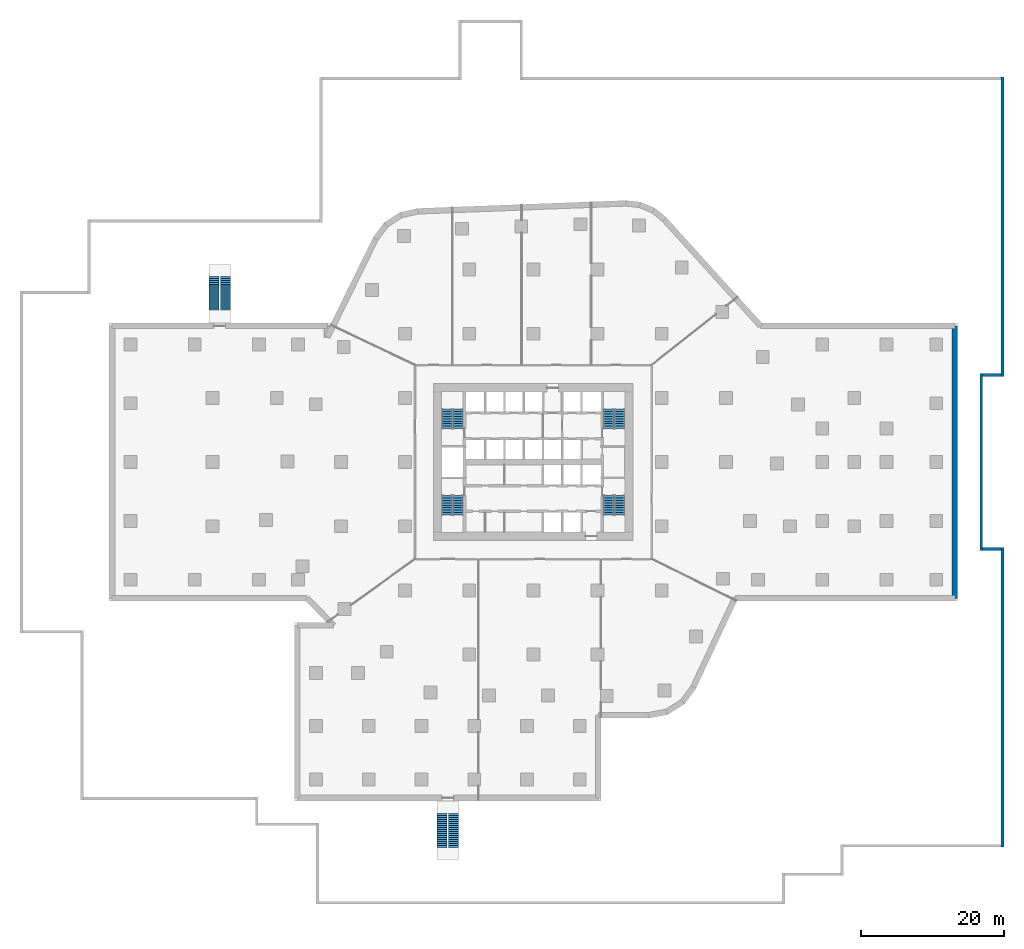
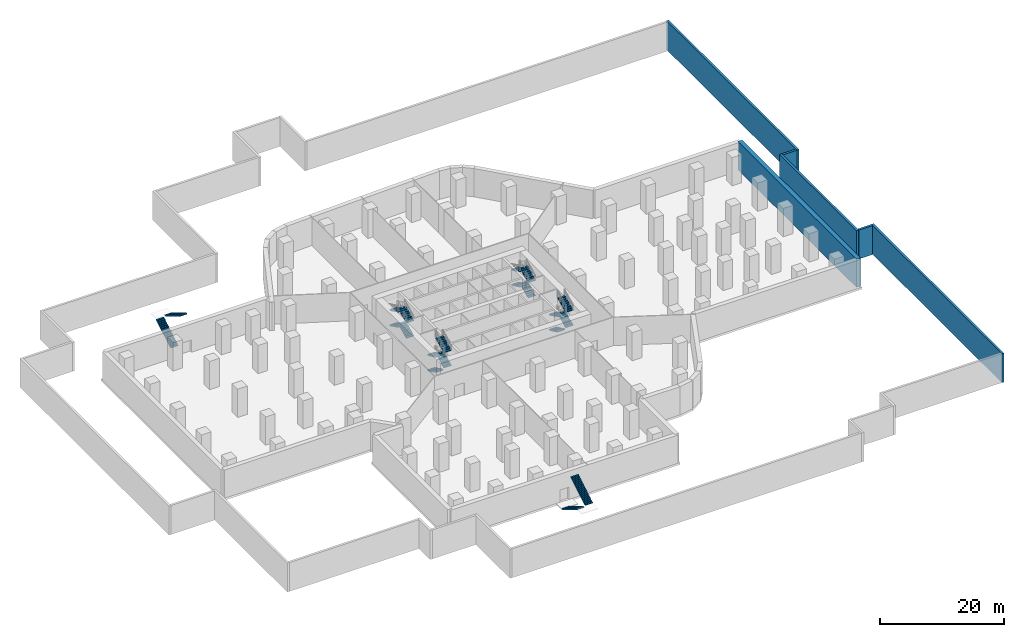
# One storey, part 9 of 11: 20 stair flights, 6 walls, 6 elements without a shape of their own.
"""IFC4 building model written with IfcOpenShell, lengths in metres."""

from ifc_helpers import new_model, si_unit, direction, frame, frame_2d, origin, place, context, subcontext, project, spatial, polyline, rectangle, outline, extrude, material, layer, layer_set, type_object, element, aggregate, save


model = new_model("IFC4")

# Units and contexts
model_context = context("Model", 3, precision=1e-05, world=origin(), true_north=direction((0.0, 1.0)))
body_context = subcontext(model_context, "Body", "Model", "MODEL_VIEW")
ifc_project = project(units=[si_unit("LENGTHUNIT", "METRE"), si_unit("AREAUNIT", "SQUARE_METRE"), si_unit("VOLUMEUNIT", "CUBIC_METRE"), si_unit("PLANEANGLEUNIT", "RADIAN"), si_unit("MASSUNIT", "GRAM", prefix="KILO")], contexts=[model_context])

# Site, building, storey
site_placement = place(None, origin())
site = spatial("IfcSite", under=ifc_project, at=site_placement, CompositionType="ELEMENT")
building_placement = place(site_placement, origin())
building = spatial("IfcBuilding", under=site, at=building_placement, Name="Dongbaek Canopy Tower", CompositionType="ELEMENT")
storey_placement = place(building_placement, frame((0.0, 0.0, -6.0)))
storey = spatial("IfcBuildingStorey", under=building, at=storey_placement, Name="B1", CompositionType="ELEMENT", Elevation=-6.0)

# Walls
ifc_material_1 = material(Name="Concrete C40/50", Category="concrete")
ifc_layer_1 = layer(ifc_material_1, 0.39990234375)
ifc_layer_set_1 = layer_set([ifc_layer_1], Name="Plaza plinth wall 400")
wall_type_1 = type_object("IfcWallType", Name="Plaza plinth wall 400", PredefinedType="SOLIDWALL", material=ifc_layer_set_1)
wall_1_placement = place(storey_placement, frame((65.800048828125, -54.0, 0.0), z_axis=(0.0, 0.0, 1.0), x_axis=(0.0, 1.0, 0.0)))
element("IfcWall", 1, at=wall_1_placement, inside=storey, type_object=wall_type_1, Name="Plaza plinth wall 7", PredefinedType="SOLIDWALL", context=body_context, shape_type="SweptSolid", body=[
    extrude(rectangle(XDim=42.0, YDim=0.39990234375, at=frame_2d((21.0, 0.0))), origin(), (0.0, 0.0, 1.0), 5.699951171875),
])
wall_2_placement = place(storey_placement, frame((63.0, -12.199951171875, 0.0), z_axis=(0.0, 0.0, 1.0), x_axis=(1.0, 0.0, 0.0)))
element("IfcWall", 2, at=wall_2_placement, inside=storey, type_object=wall_type_1, Name="Plaza plinth wall 14", PredefinedType="SOLIDWALL", context=body_context, shape_type="SweptSolid", body=[
    extrude(rectangle(XDim=2.60009765625, YDim=0.39990234375, at=frame_2d((1.300048828125, 0.0))), origin(), (0.0, 0.0, 1.0), 5.699951171875),
])
wall_3_placement = place(storey_placement, frame((62.800048828125, -12.39990234375, 0.0), z_axis=(0.0, 0.0, 1.0), x_axis=(0.0, 1.0, 0.0)))
element("IfcWall", 3, at=wall_3_placement, inside=storey, type_object=wall_type_1, Name="Plaza plinth wall 15", PredefinedType="SOLIDWALL", context=body_context, shape_type="SweptSolid", body=[
    extrude(rectangle(XDim=24.7998046875, YDim=0.39990234375, at=frame_2d((12.39990234375, 0.0))), origin(), (0.0, 0.0, 1.0), 5.699951171875),
])
wall_4_placement = place(storey_placement, frame((63.0, 12.199951171875, 0.0), z_axis=(0.0, 0.0, 1.0), x_axis=(1.0, 0.0, 0.0)))
element("IfcWall", 4, at=wall_4_placement, inside=storey, type_object=wall_type_1, Name="Plaza plinth wall 16", PredefinedType="SOLIDWALL", context=body_context, shape_type="SweptSolid", body=[
    extrude(rectangle(XDim=2.60009765625, YDim=0.39990234375, at=frame_2d((1.300048828125, 0.0))), origin(), (0.0, 0.0, 1.0), 5.699951171875),
])
wall_5_placement = place(storey_placement, frame((65.800048828125, 12.0, 0.0), z_axis=(0.0, 0.0, 1.0), x_axis=(0.0, 1.0, 0.0)))
element("IfcWall", 5, at=wall_5_placement, inside=storey, type_object=wall_type_1, Name="Plaza plinth wall 17", PredefinedType="SOLIDWALL", context=body_context, shape_type="SweptSolid", body=[
    extrude(rectangle(XDim=42.0, YDim=0.39990234375, at=frame_2d((21.0, 0.0))), origin(), (0.0, 0.0, 1.0), 5.699951171875),
])
ifc_material_2 = material(Name="Concrete C40", Category="concrete")
ifc_layer_2 = layer(ifc_material_2, 0.800048828125)
ifc_layer_set_2 = layer_set([ifc_layer_2], Name="RC RETAINING WALL 800 Concrete C40")
wall_type_2 = type_object("IfcWallType", Name="RC RETAINING WALL 800 Concrete C40", PredefinedType="SHEAR", material=ifc_layer_set_2)
wall_6_placement = place(storey_placement, frame((59.10009765625, 19.10009765625, 0.0), z_axis=(0.0, 0.0, 1.0), x_axis=(0.0, -1.0, 0.0)))
element("IfcWall", 6, at=wall_6_placement, inside=storey, type_object=wall_type_2, Name="RWALL:B1:17", PredefinedType="SHEAR", context=body_context, shape_type="SweptSolid", body=[
    extrude(rectangle(XDim=38.2001953125, YDim=0.800048828125, at=frame_2d((19.10009765625, 0.0))), origin(), (0.0, 0.0, 1.0), 5.550048828125),
])

# Stair, stair flights
ifc_material_3 = material(Name="Concrete C40/50", Category="concrete")
stair_type_1 = type_object("IfcStairType", Name="Core exit stair", PredefinedType="HALF_TURN_STAIR", material=ifc_material_3)
stair_1_placement = place(storey_placement, origin())
stair_1 = element("IfcStair", 7, at=stair_1_placement, inside=storey, type_object=stair_type_1, Name="B1 exit stair A", PredefinedType="HALF_TURN_STAIR")
ifc_material_4 = material(Name="Concrete C40/50", Category="concrete")
ifc_layer_3 = layer(ifc_material_4, 0.14990234375)
ifc_layer_set_3 = layer_set([ifc_layer_3], Name="Core stair flight 150 waist")
stair_flight_type_1 = type_object("IfcStairFlightType", Name="Core stair flight 150 waist", PredefinedType="STRAIGHT", material=ifc_layer_set_3)
stair_flight_1_placement = place(storey_placement, frame((12.10009765625, 4.699951171875, 0.0), z_axis=(0.0, 0.0, 1.0), x_axis=(0.0, 1.0, 0.0)))
stair_flight_1 = element("IfcStairFlight", 8, at=stair_flight_1_placement, type_object=stair_flight_type_1, Name="ST-A flight 1", NumberOfRisers=9, NumberOfTreads=8, PredefinedType="STRAIGHT", RiserHeight=0.166666667, TreadLength=0.34, context=body_context, shape_type="SweptSolid", body=[
    extrude(outline(polyline([(0.0, 0.0), (0.0, 0.166748046875), (0.340087890625, 0.166748046875), (0.340087890625, 0.333251953125), (0.679931640625, 0.333251953125), (0.679931640625, 0.5), (1.02001953125, 0.5), (1.02001953125, 0.666748046875), (1.360107421875, 0.666748046875), (1.360107421875, 0.833251953125), (1.699951171875, 0.833251953125), (1.699951171875, 1.0), (2.0400390625, 1.0), (2.0400390625, 1.166748046875), (2.3798828125, 1.166748046875), (2.3798828125, 1.333251953125), (2.719970703125, 1.333251953125), (2.719970703125, 1.5), (2.719970703125, 1.16650390625), (0.340576171875, 0.0), (0.0, 0.0)])), frame((0.0, 0.699951171875, 0.0), z_axis=(0.0, -1.0, 0.0), x_axis=(1.0, 0.0, 0.0)), (0.0, 0.0, 1.0), 1.39990234375),
])
stair_flight_2_placement = place(storey_placement, frame((10.550048828125, 7.419921875, 1.5), z_axis=(0.0, 0.0, 1.0), x_axis=(0.0, -1.0, 0.0)))
stair_flight_2 = element("IfcStairFlight", 9, at=stair_flight_2_placement, type_object=stair_flight_type_1, Name="ST-A flight 2", NumberOfRisers=9, NumberOfTreads=8, PredefinedType="STRAIGHT", RiserHeight=0.166666667, TreadLength=0.34, context=body_context, shape_type="SweptSolid", body=[
    extrude(outline(polyline([(0.0, 0.0), (0.0, 0.166748046875), (0.340087890625, 0.166748046875), (0.340087890625, 0.333251953125), (0.679931640625, 0.333251953125), (0.679931640625, 0.5), (1.02001953125, 0.5), (1.02001953125, 0.666748046875), (1.360107421875, 0.666748046875), (1.360107421875, 0.833251953125), (1.699951171875, 0.833251953125), (1.699951171875, 1.0), (2.0400390625, 1.0), (2.0400390625, 1.166748046875), (2.3798828125, 1.166748046875), (2.3798828125, 1.333251953125), (2.719970703125, 1.333251953125), (2.719970703125, 1.5), (2.719970703125, 1.16650390625), (0.340576171875, 0.0), (0.0, 0.0)])), frame((0.0, 0.699951171875, 0.0), z_axis=(0.0, -1.0, 0.0), x_axis=(1.0, 0.0, 0.0)), (0.0, 0.0, 1.0), 1.39990234375),
])
stair_flight_3_placement = place(storey_placement, frame((12.10009765625, 4.699951171875, 3.0), z_axis=(0.0, 0.0, 1.0), x_axis=(0.0, 1.0, 0.0)))
stair_flight_3 = element("IfcStairFlight", 10, at=stair_flight_3_placement, type_object=stair_flight_type_1, Name="ST-A flight 3", NumberOfRisers=9, NumberOfTreads=8, PredefinedType="STRAIGHT", RiserHeight=0.166666667, TreadLength=0.34, context=body_context, shape_type="SweptSolid", body=[
    extrude(outline(polyline([(0.0, 0.0), (0.0, 0.166748046875), (0.340087890625, 0.166748046875), (0.340087890625, 0.333251953125), (0.679931640625, 0.333251953125), (0.679931640625, 0.5), (1.02001953125, 0.5), (1.02001953125, 0.666748046875), (1.360107421875, 0.666748046875), (1.360107421875, 0.833251953125), (1.699951171875, 0.833251953125), (1.699951171875, 1.0), (2.0400390625, 1.0), (2.0400390625, 1.166748046875), (2.3798828125, 1.166748046875), (2.3798828125, 1.333251953125), (2.719970703125, 1.333251953125), (2.719970703125, 1.5), (2.719970703125, 1.16650390625), (0.340576171875, 0.0), (0.0, 0.0)])), frame((0.0, 0.699951171875, 0.0), z_axis=(0.0, -1.0, 0.0), x_axis=(1.0, 0.0, 0.0)), (0.0, 0.0, 1.0), 1.39990234375),
])
stair_flight_4_placement = place(storey_placement, frame((10.550048828125, 7.419921875, 4.5), z_axis=(0.0, 0.0, 1.0), x_axis=(0.0, -1.0, 0.0)))
stair_flight_4 = element("IfcStairFlight", 11, at=stair_flight_4_placement, type_object=stair_flight_type_1, Name="ST-A flight 4", NumberOfRisers=9, NumberOfTreads=8, PredefinedType="STRAIGHT", RiserHeight=0.166666667, TreadLength=0.34, context=body_context, shape_type="SweptSolid", body=[
    extrude(outline(polyline([(0.0, 0.0), (0.0, 0.166748046875), (0.340087890625, 0.166748046875), (0.340087890625, 0.333251953125), (0.679931640625, 0.333251953125), (0.679931640625, 0.5), (1.02001953125, 0.5), (1.02001953125, 0.666748046875), (1.360107421875, 0.666748046875), (1.360107421875, 0.833251953125), (1.699951171875, 0.833251953125), (1.699951171875, 1.0), (2.0400390625, 1.0), (2.0400390625, 1.166748046875), (2.3798828125, 1.166748046875), (2.3798828125, 1.333251953125), (2.719970703125, 1.333251953125), (2.719970703125, 1.5), (2.719970703125, 1.16650390625), (0.340576171875, 0.0), (0.0, 0.0)])), frame((0.0, 0.699951171875, 0.0), z_axis=(0.0, -1.0, 0.0), x_axis=(1.0, 0.0, 0.0)), (0.0, 0.0, 1.0), 1.39990234375),
])
aggregate(stair_1, [stair_flight_1, stair_flight_2, stair_flight_3, stair_flight_4])

stair_2_placement = place(storey_placement, origin())
stair_2 = element("IfcStair", 12, at=stair_2_placement, inside=storey, type_object=stair_type_1, Name="B1 exit stair C", PredefinedType="HALF_TURN_STAIR")
stair_flight_5_placement = place(storey_placement, frame((-10.550048828125, 4.699951171875, 0.0), z_axis=(0.0, 0.0, 1.0), x_axis=(0.0, 1.0, 0.0)))
stair_flight_5 = element("IfcStairFlight", 13, at=stair_flight_5_placement, type_object=stair_flight_type_1, Name="ST-C flight 1", NumberOfRisers=9, NumberOfTreads=8, PredefinedType="STRAIGHT", RiserHeight=0.166666667, TreadLength=0.34, context=body_context, shape_type="SweptSolid", body=[
    extrude(outline(polyline([(0.0, 0.0), (0.0, 0.166748046875), (0.340087890625, 0.166748046875), (0.340087890625, 0.333251953125), (0.679931640625, 0.333251953125), (0.679931640625, 0.5), (1.02001953125, 0.5), (1.02001953125, 0.666748046875), (1.360107421875, 0.666748046875), (1.360107421875, 0.833251953125), (1.699951171875, 0.833251953125), (1.699951171875, 1.0), (2.0400390625, 1.0), (2.0400390625, 1.166748046875), (2.3798828125, 1.166748046875), (2.3798828125, 1.333251953125), (2.719970703125, 1.333251953125), (2.719970703125, 1.5), (2.719970703125, 1.16650390625), (0.340576171875, 0.0), (0.0, 0.0)])), frame((0.0, 0.699951171875, 0.0), z_axis=(0.0, -1.0, 0.0), x_axis=(1.0, 0.0, 0.0)), (0.0, 0.0, 1.0), 1.39990234375),
])
stair_flight_6_placement = place(storey_placement, frame((-12.10009765625, 7.419921875, 1.5), z_axis=(0.0, 0.0, 1.0), x_axis=(0.0, -1.0, 0.0)))
stair_flight_6 = element("IfcStairFlight", 14, at=stair_flight_6_placement, type_object=stair_flight_type_1, Name="ST-C flight 2", NumberOfRisers=9, NumberOfTreads=8, PredefinedType="STRAIGHT", RiserHeight=0.166666667, TreadLength=0.34, context=body_context, shape_type="SweptSolid", body=[
    extrude(outline(polyline([(0.0, 0.0), (0.0, 0.166748046875), (0.340087890625, 0.166748046875), (0.340087890625, 0.333251953125), (0.679931640625, 0.333251953125), (0.679931640625, 0.5), (1.02001953125, 0.5), (1.02001953125, 0.666748046875), (1.360107421875, 0.666748046875), (1.360107421875, 0.833251953125), (1.699951171875, 0.833251953125), (1.699951171875, 1.0), (2.0400390625, 1.0), (2.0400390625, 1.166748046875), (2.3798828125, 1.166748046875), (2.3798828125, 1.333251953125), (2.719970703125, 1.333251953125), (2.719970703125, 1.5), (2.719970703125, 1.16650390625), (0.340576171875, 0.0), (0.0, 0.0)])), frame((0.0, 0.699951171875, 0.0), z_axis=(0.0, -1.0, 0.0), x_axis=(1.0, 0.0, 0.0)), (0.0, 0.0, 1.0), 1.39990234375),
])
stair_flight_7_placement = place(storey_placement, frame((-10.550048828125, 4.699951171875, 3.0), z_axis=(0.0, 0.0, 1.0), x_axis=(0.0, 1.0, 0.0)))
stair_flight_7 = element("IfcStairFlight", 15, at=stair_flight_7_placement, type_object=stair_flight_type_1, Name="ST-C flight 3", NumberOfRisers=9, NumberOfTreads=8, PredefinedType="STRAIGHT", RiserHeight=0.166666667, TreadLength=0.34, context=body_context, shape_type="SweptSolid", body=[
    extrude(outline(polyline([(0.0, 0.0), (0.0, 0.166748046875), (0.340087890625, 0.166748046875), (0.340087890625, 0.333251953125), (0.679931640625, 0.333251953125), (0.679931640625, 0.5), (1.02001953125, 0.5), (1.02001953125, 0.666748046875), (1.360107421875, 0.666748046875), (1.360107421875, 0.833251953125), (1.699951171875, 0.833251953125), (1.699951171875, 1.0), (2.0400390625, 1.0), (2.0400390625, 1.166748046875), (2.3798828125, 1.166748046875), (2.3798828125, 1.333251953125), (2.719970703125, 1.333251953125), (2.719970703125, 1.5), (2.719970703125, 1.16650390625), (0.340576171875, 0.0), (0.0, 0.0)])), frame((0.0, 0.699951171875, 0.0), z_axis=(0.0, -1.0, 0.0), x_axis=(1.0, 0.0, 0.0)), (0.0, 0.0, 1.0), 1.39990234375),
])
stair_flight_8_placement = place(storey_placement, frame((-12.10009765625, 7.419921875, 4.5), z_axis=(0.0, 0.0, 1.0), x_axis=(0.0, -1.0, 0.0)))
stair_flight_8 = element("IfcStairFlight", 16, at=stair_flight_8_placement, type_object=stair_flight_type_1, Name="ST-C flight 4", NumberOfRisers=9, NumberOfTreads=8, PredefinedType="STRAIGHT", RiserHeight=0.166666667, TreadLength=0.34, context=body_context, shape_type="SweptSolid", body=[
    extrude(outline(polyline([(0.0, 0.0), (0.0, 0.166748046875), (0.340087890625, 0.166748046875), (0.340087890625, 0.333251953125), (0.679931640625, 0.333251953125), (0.679931640625, 0.5), (1.02001953125, 0.5), (1.02001953125, 0.666748046875), (1.360107421875, 0.666748046875), (1.360107421875, 0.833251953125), (1.699951171875, 0.833251953125), (1.699951171875, 1.0), (2.0400390625, 1.0), (2.0400390625, 1.166748046875), (2.3798828125, 1.166748046875), (2.3798828125, 1.333251953125), (2.719970703125, 1.333251953125), (2.719970703125, 1.5), (2.719970703125, 1.16650390625), (0.340576171875, 0.0), (0.0, 0.0)])), frame((0.0, 0.699951171875, 0.0), z_axis=(0.0, -1.0, 0.0), x_axis=(1.0, 0.0, 0.0)), (0.0, 0.0, 1.0), 1.39990234375),
])
aggregate(stair_2, [stair_flight_5, stair_flight_6, stair_flight_7, stair_flight_8])

stair_3_placement = place(storey_placement, origin())
stair_3 = element("IfcStair", 17, at=stair_3_placement, inside=storey, type_object=stair_type_1, Name="B1 exit stair B", PredefinedType="HALF_TURN_STAIR")
stair_flight_9_placement = place(storey_placement, frame((10.550048828125, -4.699951171875, 0.0), z_axis=(0.0, 0.0, 1.0), x_axis=(0.0, -1.0, 0.0)))
stair_flight_9 = element("IfcStairFlight", 18, at=stair_flight_9_placement, type_object=stair_flight_type_1, Name="ST-B flight 1", NumberOfRisers=9, NumberOfTreads=8, PredefinedType="STRAIGHT", RiserHeight=0.166666667, TreadLength=0.34, context=body_context, shape_type="SweptSolid", body=[
    extrude(outline(polyline([(0.0, 0.0), (0.0, 0.166748046875), (0.340087890625, 0.166748046875), (0.340087890625, 0.333251953125), (0.679931640625, 0.333251953125), (0.679931640625, 0.5), (1.02001953125, 0.5), (1.02001953125, 0.666748046875), (1.360107421875, 0.666748046875), (1.360107421875, 0.833251953125), (1.699951171875, 0.833251953125), (1.699951171875, 1.0), (2.0400390625, 1.0), (2.0400390625, 1.166748046875), (2.3798828125, 1.166748046875), (2.3798828125, 1.333251953125), (2.719970703125, 1.333251953125), (2.719970703125, 1.5), (2.719970703125, 1.16650390625), (0.340576171875, 0.0), (0.0, 0.0)])), frame((0.0, 0.699951171875, 0.0), z_axis=(0.0, -1.0, 0.0), x_axis=(1.0, 0.0, 0.0)), (0.0, 0.0, 1.0), 1.39990234375),
])
stair_flight_10_placement = place(storey_placement, frame((12.10009765625, -7.419921875, 1.5), z_axis=(0.0, 0.0, 1.0), x_axis=(0.0, 1.0, 0.0)))
stair_flight_10 = element("IfcStairFlight", 19, at=stair_flight_10_placement, type_object=stair_flight_type_1, Name="ST-B flight 2", NumberOfRisers=9, NumberOfTreads=8, PredefinedType="STRAIGHT", RiserHeight=0.166666667, TreadLength=0.34, context=body_context, shape_type="SweptSolid", body=[
    extrude(outline(polyline([(0.0, 0.0), (0.0, 0.166748046875), (0.340087890625, 0.166748046875), (0.340087890625, 0.333251953125), (0.679931640625, 0.333251953125), (0.679931640625, 0.5), (1.02001953125, 0.5), (1.02001953125, 0.666748046875), (1.360107421875, 0.666748046875), (1.360107421875, 0.833251953125), (1.699951171875, 0.833251953125), (1.699951171875, 1.0), (2.0400390625, 1.0), (2.0400390625, 1.166748046875), (2.3798828125, 1.166748046875), (2.3798828125, 1.333251953125), (2.719970703125, 1.333251953125), (2.719970703125, 1.5), (2.719970703125, 1.16650390625), (0.340576171875, 0.0), (0.0, 0.0)])), frame((0.0, 0.699951171875, 0.0), z_axis=(0.0, -1.0, 0.0), x_axis=(1.0, 0.0, 0.0)), (0.0, 0.0, 1.0), 1.39990234375),
])
stair_flight_11_placement = place(storey_placement, frame((10.550048828125, -4.699951171875, 3.0), z_axis=(0.0, 0.0, 1.0), x_axis=(0.0, -1.0, 0.0)))
stair_flight_11 = element("IfcStairFlight", 20, at=stair_flight_11_placement, type_object=stair_flight_type_1, Name="ST-B flight 3", NumberOfRisers=9, NumberOfTreads=8, PredefinedType="STRAIGHT", RiserHeight=0.166666667, TreadLength=0.34, context=body_context, shape_type="SweptSolid", body=[
    extrude(outline(polyline([(0.0, 0.0), (0.0, 0.166748046875), (0.340087890625, 0.166748046875), (0.340087890625, 0.333251953125), (0.679931640625, 0.333251953125), (0.679931640625, 0.5), (1.02001953125, 0.5), (1.02001953125, 0.666748046875), (1.360107421875, 0.666748046875), (1.360107421875, 0.833251953125), (1.699951171875, 0.833251953125), (1.699951171875, 1.0), (2.0400390625, 1.0), (2.0400390625, 1.166748046875), (2.3798828125, 1.166748046875), (2.3798828125, 1.333251953125), (2.719970703125, 1.333251953125), (2.719970703125, 1.5), (2.719970703125, 1.16650390625), (0.340576171875, 0.0), (0.0, 0.0)])), frame((0.0, 0.699951171875, 0.0), z_axis=(0.0, -1.0, 0.0), x_axis=(1.0, 0.0, 0.0)), (0.0, 0.0, 1.0), 1.39990234375),
])
stair_flight_12_placement = place(storey_placement, frame((12.10009765625, -7.419921875, 4.5), z_axis=(0.0, 0.0, 1.0), x_axis=(0.0, 1.0, 0.0)))
stair_flight_12 = element("IfcStairFlight", 21, at=stair_flight_12_placement, type_object=stair_flight_type_1, Name="ST-B flight 4", NumberOfRisers=9, NumberOfTreads=8, PredefinedType="STRAIGHT", RiserHeight=0.166666667, TreadLength=0.34, context=body_context, shape_type="SweptSolid", body=[
    extrude(outline(polyline([(0.0, 0.0), (0.0, 0.166748046875), (0.340087890625, 0.166748046875), (0.340087890625, 0.333251953125), (0.679931640625, 0.333251953125), (0.679931640625, 0.5), (1.02001953125, 0.5), (1.02001953125, 0.666748046875), (1.360107421875, 0.666748046875), (1.360107421875, 0.833251953125), (1.699951171875, 0.833251953125), (1.699951171875, 1.0), (2.0400390625, 1.0), (2.0400390625, 1.166748046875), (2.3798828125, 1.166748046875), (2.3798828125, 1.333251953125), (2.719970703125, 1.333251953125), (2.719970703125, 1.5), (2.719970703125, 1.16650390625), (0.340576171875, 0.0), (0.0, 0.0)])), frame((0.0, 0.699951171875, 0.0), z_axis=(0.0, -1.0, 0.0), x_axis=(1.0, 0.0, 0.0)), (0.0, 0.0, 1.0), 1.39990234375),
])
aggregate(stair_3, [stair_flight_9, stair_flight_10, stair_flight_11, stair_flight_12])

stair_4_placement = place(storey_placement, origin())
stair_4 = element("IfcStair", 22, at=stair_4_placement, inside=storey, type_object=stair_type_1, Name="B1 exit stair D", PredefinedType="HALF_TURN_STAIR")
stair_flight_13_placement = place(storey_placement, frame((-12.10009765625, -4.699951171875, 0.0), z_axis=(0.0, 0.0, 1.0), x_axis=(0.0, -1.0, 0.0)))
stair_flight_13 = element("IfcStairFlight", 23, at=stair_flight_13_placement, type_object=stair_flight_type_1, Name="ST-D flight 1", NumberOfRisers=9, NumberOfTreads=8, PredefinedType="STRAIGHT", RiserHeight=0.166666667, TreadLength=0.34, context=body_context, shape_type="SweptSolid", body=[
    extrude(outline(polyline([(0.0, 0.0), (0.0, 0.166748046875), (0.340087890625, 0.166748046875), (0.340087890625, 0.333251953125), (0.679931640625, 0.333251953125), (0.679931640625, 0.5), (1.02001953125, 0.5), (1.02001953125, 0.666748046875), (1.360107421875, 0.666748046875), (1.360107421875, 0.833251953125), (1.699951171875, 0.833251953125), (1.699951171875, 1.0), (2.0400390625, 1.0), (2.0400390625, 1.166748046875), (2.3798828125, 1.166748046875), (2.3798828125, 1.333251953125), (2.719970703125, 1.333251953125), (2.719970703125, 1.5), (2.719970703125, 1.16650390625), (0.340576171875, 0.0), (0.0, 0.0)])), frame((0.0, 0.699951171875, 0.0), z_axis=(0.0, -1.0, 0.0), x_axis=(1.0, 0.0, 0.0)), (0.0, 0.0, 1.0), 1.39990234375),
])
stair_flight_14_placement = place(storey_placement, frame((-10.550048828125, -7.419921875, 1.5), z_axis=(0.0, 0.0, 1.0), x_axis=(0.0, 1.0, 0.0)))
stair_flight_14 = element("IfcStairFlight", 24, at=stair_flight_14_placement, type_object=stair_flight_type_1, Name="ST-D flight 2", NumberOfRisers=9, NumberOfTreads=8, PredefinedType="STRAIGHT", RiserHeight=0.166666667, TreadLength=0.34, context=body_context, shape_type="SweptSolid", body=[
    extrude(outline(polyline([(0.0, 0.0), (0.0, 0.166748046875), (0.340087890625, 0.166748046875), (0.340087890625, 0.333251953125), (0.679931640625, 0.333251953125), (0.679931640625, 0.5), (1.02001953125, 0.5), (1.02001953125, 0.666748046875), (1.360107421875, 0.666748046875), (1.360107421875, 0.833251953125), (1.699951171875, 0.833251953125), (1.699951171875, 1.0), (2.0400390625, 1.0), (2.0400390625, 1.166748046875), (2.3798828125, 1.166748046875), (2.3798828125, 1.333251953125), (2.719970703125, 1.333251953125), (2.719970703125, 1.5), (2.719970703125, 1.16650390625), (0.340576171875, 0.0), (0.0, 0.0)])), frame((0.0, 0.699951171875, 0.0), z_axis=(0.0, -1.0, 0.0), x_axis=(1.0, 0.0, 0.0)), (0.0, 0.0, 1.0), 1.39990234375),
])
stair_flight_15_placement = place(storey_placement, frame((-12.10009765625, -4.699951171875, 3.0), z_axis=(0.0, 0.0, 1.0), x_axis=(0.0, -1.0, 0.0)))
stair_flight_15 = element("IfcStairFlight", 25, at=stair_flight_15_placement, type_object=stair_flight_type_1, Name="ST-D flight 3", NumberOfRisers=9, NumberOfTreads=8, PredefinedType="STRAIGHT", RiserHeight=0.166666667, TreadLength=0.34, context=body_context, shape_type="SweptSolid", body=[
    extrude(outline(polyline([(0.0, 0.0), (0.0, 0.166748046875), (0.340087890625, 0.166748046875), (0.340087890625, 0.333251953125), (0.679931640625, 0.333251953125), (0.679931640625, 0.5), (1.02001953125, 0.5), (1.02001953125, 0.666748046875), (1.360107421875, 0.666748046875), (1.360107421875, 0.833251953125), (1.699951171875, 0.833251953125), (1.699951171875, 1.0), (2.0400390625, 1.0), (2.0400390625, 1.166748046875), (2.3798828125, 1.166748046875), (2.3798828125, 1.333251953125), (2.719970703125, 1.333251953125), (2.719970703125, 1.5), (2.719970703125, 1.16650390625), (0.340576171875, 0.0), (0.0, 0.0)])), frame((0.0, 0.699951171875, 0.0), z_axis=(0.0, -1.0, 0.0), x_axis=(1.0, 0.0, 0.0)), (0.0, 0.0, 1.0), 1.39990234375),
])
stair_flight_16_placement = place(storey_placement, frame((-10.550048828125, -7.419921875, 4.5), z_axis=(0.0, 0.0, 1.0), x_axis=(0.0, 1.0, 0.0)))
stair_flight_16 = element("IfcStairFlight", 26, at=stair_flight_16_placement, type_object=stair_flight_type_1, Name="ST-D flight 4", NumberOfRisers=9, NumberOfTreads=8, PredefinedType="STRAIGHT", RiserHeight=0.166666667, TreadLength=0.34, context=body_context, shape_type="SweptSolid", body=[
    extrude(outline(polyline([(0.0, 0.0), (0.0, 0.166748046875), (0.340087890625, 0.166748046875), (0.340087890625, 0.333251953125), (0.679931640625, 0.333251953125), (0.679931640625, 0.5), (1.02001953125, 0.5), (1.02001953125, 0.666748046875), (1.360107421875, 0.666748046875), (1.360107421875, 0.833251953125), (1.699951171875, 0.833251953125), (1.699951171875, 1.0), (2.0400390625, 1.0), (2.0400390625, 1.166748046875), (2.3798828125, 1.166748046875), (2.3798828125, 1.333251953125), (2.719970703125, 1.333251953125), (2.719970703125, 1.5), (2.719970703125, 1.16650390625), (0.340576171875, 0.0), (0.0, 0.0)])), frame((0.0, 0.699951171875, 0.0), z_axis=(0.0, -1.0, 0.0), x_axis=(1.0, 0.0, 0.0)), (0.0, 0.0, 1.0), 1.39990234375),
])
aggregate(stair_4, [stair_flight_13, stair_flight_14, stair_flight_15, stair_flight_16])

ifc_material_5 = material(Name="Concrete C40/50", Category="concrete")
stair_type_2 = type_object("IfcStairType", Name="Entrance stair", PredefinedType="HALF_TURN_STAIR", material=ifc_material_5)
stair_5_placement = place(storey_placement, origin())
stair_5 = element("IfcStair", 27, at=stair_5_placement, inside=storey, type_object=stair_type_2, Name="Metro entrance A stair", PredefinedType="HALF_TURN_STAIR")
ifc_material_6 = material(Name="Concrete C40/50", Category="concrete")
ifc_layer_4 = layer(ifc_material_6, 0.14990234375)
ifc_layer_set_4 = layer_set([ifc_layer_4], Name="Entrance stair flight 150 waist")
stair_flight_type_2 = type_object("IfcStairFlightType", Name="Entrance stair flight 150 waist", PredefinedType="STRAIGHT", material=ifc_layer_set_4)
stair_flight_17_placement = place(storey_placement, frame((-12.800048828125, -49.300048828125, 0.0), z_axis=(0.0, 0.0, 1.0), x_axis=(0.0, -1.0, 0.0)))
stair_flight_17 = element("IfcStairFlight", 28, at=stair_flight_17_placement, type_object=stair_flight_type_2, Name="ST-MA flight 1", NumberOfRisers=18, NumberOfTreads=17, PredefinedType="STRAIGHT", RiserHeight=0.166666667, TreadLength=0.28, context=body_context, shape_type="SweptSolid", body=[
    extrude(outline(polyline([(0.0, 0.0), (0.0, 0.166748046875), (0.280029296875, 0.166748046875), (0.280029296875, 0.333251953125), (0.56005859375, 0.333251953125), (0.56005859375, 0.5), (0.840087890625, 0.5), (0.840087890625, 0.666748046875), (1.1201171875, 0.666748046875), (1.1201171875, 0.833251953125), (1.39990234375, 0.833251953125), (1.39990234375, 1.0), (1.679931640625, 1.0), (1.679931640625, 1.166748046875), (1.9599609375, 1.166748046875), (1.9599609375, 1.333251953125), (2.239990234375, 1.333251953125), (2.239990234375, 1.5), (2.52001953125, 1.5), (2.52001953125, 1.666748046875), (2.800048828125, 1.666748046875), (2.800048828125, 1.833251953125), (3.080078125, 1.833251953125), (3.080078125, 2.0), (3.360107421875, 2.0), (3.360107421875, 2.166748046875), (3.639892578125, 2.166748046875), (3.639892578125, 2.333251953125), (3.919921875, 2.333251953125), (3.919921875, 2.5), (4.199951171875, 2.5), (4.199951171875, 2.666748046875), (4.47998046875, 2.666748046875), (4.47998046875, 2.833251953125), (4.760009765625, 2.833251953125), (4.760009765625, 3.0), (4.760009765625, 2.658935546875), (0.29296875, 0.0), (0.0, 0.0)])), frame((0.0, 0.699951171875, 0.0), z_axis=(0.0, -1.0, 0.0), x_axis=(1.0, 0.0, 0.0)), (0.0, 0.0, 1.0), 1.39990234375),
])
stair_flight_18_placement = place(storey_placement, frame((-11.199951171875, -54.06005859375, 3.0), z_axis=(0.0, 0.0, 1.0), x_axis=(0.0, 1.0, 0.0)))
stair_flight_18 = element("IfcStairFlight", 29, at=stair_flight_18_placement, type_object=stair_flight_type_2, Name="ST-MA flight 2", NumberOfRisers=18, NumberOfTreads=17, PredefinedType="STRAIGHT", RiserHeight=0.166666667, TreadLength=0.28, context=body_context, shape_type="SweptSolid", body=[
    extrude(outline(polyline([(0.0, 0.0), (0.0, 0.166748046875), (0.280029296875, 0.166748046875), (0.280029296875, 0.333251953125), (0.56005859375, 0.333251953125), (0.56005859375, 0.5), (0.840087890625, 0.5), (0.840087890625, 0.666748046875), (1.1201171875, 0.666748046875), (1.1201171875, 0.833251953125), (1.39990234375, 0.833251953125), (1.39990234375, 1.0), (1.679931640625, 1.0), (1.679931640625, 1.166748046875), (1.9599609375, 1.166748046875), (1.9599609375, 1.333251953125), (2.239990234375, 1.333251953125), (2.239990234375, 1.5), (2.52001953125, 1.5), (2.52001953125, 1.666748046875), (2.800048828125, 1.666748046875), (2.800048828125, 1.833251953125), (3.080078125, 1.833251953125), (3.080078125, 2.0), (3.360107421875, 2.0), (3.360107421875, 2.166748046875), (3.639892578125, 2.166748046875), (3.639892578125, 2.333251953125), (3.919921875, 2.333251953125), (3.919921875, 2.5), (4.199951171875, 2.5), (4.199951171875, 2.666748046875), (4.47998046875, 2.666748046875), (4.47998046875, 2.833251953125), (4.760009765625, 2.833251953125), (4.760009765625, 3.0), (4.760009765625, 2.658935546875), (0.29296875, 0.0), (0.0, 0.0)])), frame((0.0, 0.699951171875, 0.0), z_axis=(0.0, -1.0, 0.0), x_axis=(1.0, 0.0, 0.0)), (0.0, 0.0, 1.0), 1.39990234375),
])
aggregate(stair_5, [stair_flight_17, stair_flight_18])

stair_6_placement = place(storey_placement, origin())
stair_6 = element("IfcStair", 30, at=stair_6_placement, inside=storey, type_object=stair_type_2, Name="Metro entrance B stair", PredefinedType="HALF_TURN_STAIR")
stair_flight_19_placement = place(storey_placement, frame((-44.800048828125, 21.300048828125, 0.0), z_axis=(0.0, 0.0, 1.0), x_axis=(0.0, 1.0, 0.0)))
stair_flight_19 = element("IfcStairFlight", 31, at=stair_flight_19_placement, type_object=stair_flight_type_2, Name="ST-MB flight 1", NumberOfRisers=18, NumberOfTreads=17, PredefinedType="STRAIGHT", RiserHeight=0.166666667, TreadLength=0.28, context=body_context, shape_type="SweptSolid", body=[
    extrude(outline(polyline([(0.0, 0.0), (0.0, 0.166748046875), (0.280029296875, 0.166748046875), (0.280029296875, 0.333251953125), (0.56005859375, 0.333251953125), (0.56005859375, 0.5), (0.840087890625, 0.5), (0.840087890625, 0.666748046875), (1.1201171875, 0.666748046875), (1.1201171875, 0.833251953125), (1.39990234375, 0.833251953125), (1.39990234375, 1.0), (1.679931640625, 1.0), (1.679931640625, 1.166748046875), (1.9599609375, 1.166748046875), (1.9599609375, 1.333251953125), (2.239990234375, 1.333251953125), (2.239990234375, 1.5), (2.52001953125, 1.5), (2.52001953125, 1.666748046875), (2.800048828125, 1.666748046875), (2.800048828125, 1.833251953125), (3.080078125, 1.833251953125), (3.080078125, 2.0), (3.360107421875, 2.0), (3.360107421875, 2.166748046875), (3.639892578125, 2.166748046875), (3.639892578125, 2.333251953125), (3.919921875, 2.333251953125), (3.919921875, 2.5), (4.199951171875, 2.5), (4.199951171875, 2.666748046875), (4.47998046875, 2.666748046875), (4.47998046875, 2.833251953125), (4.760009765625, 2.833251953125), (4.760009765625, 3.0), (4.760009765625, 2.658935546875), (0.29296875, 0.0), (0.0, 0.0)])), frame((0.0, 0.699951171875, 0.0), z_axis=(0.0, -1.0, 0.0), x_axis=(1.0, 0.0, 0.0)), (0.0, 0.0, 1.0), 1.39990234375),
])
stair_flight_20_placement = place(storey_placement, frame((-43.199951171875, 26.06005859375, 3.0), z_axis=(0.0, 0.0, 1.0), x_axis=(0.0, -1.0, 0.0)))
stair_flight_20 = element("IfcStairFlight", 32, at=stair_flight_20_placement, type_object=stair_flight_type_2, Name="ST-MB flight 2", NumberOfRisers=18, NumberOfTreads=17, PredefinedType="STRAIGHT", RiserHeight=0.166666667, TreadLength=0.28, context=body_context, shape_type="SweptSolid", body=[
    extrude(outline(polyline([(0.0, 0.0), (0.0, 0.166748046875), (0.280029296875, 0.166748046875), (0.280029296875, 0.333251953125), (0.56005859375, 0.333251953125), (0.56005859375, 0.5), (0.840087890625, 0.5), (0.840087890625, 0.666748046875), (1.1201171875, 0.666748046875), (1.1201171875, 0.833251953125), (1.39990234375, 0.833251953125), (1.39990234375, 1.0), (1.679931640625, 1.0), (1.679931640625, 1.166748046875), (1.9599609375, 1.166748046875), (1.9599609375, 1.333251953125), (2.239990234375, 1.333251953125), (2.239990234375, 1.5), (2.52001953125, 1.5), (2.52001953125, 1.666748046875), (2.800048828125, 1.666748046875), (2.800048828125, 1.833251953125), (3.080078125, 1.833251953125), (3.080078125, 2.0), (3.360107421875, 2.0), (3.360107421875, 2.166748046875), (3.639892578125, 2.166748046875), (3.639892578125, 2.333251953125), (3.919921875, 2.333251953125), (3.919921875, 2.5), (4.199951171875, 2.5), (4.199951171875, 2.666748046875), (4.47998046875, 2.666748046875), (4.47998046875, 2.833251953125), (4.760009765625, 2.833251953125), (4.760009765625, 3.0), (4.760009765625, 2.658935546875), (0.29296875, 0.0), (0.0, 0.0)])), frame((0.0, 0.699951171875, 0.0), z_axis=(0.0, -1.0, 0.0), x_axis=(1.0, 0.0, 0.0)), (0.0, 0.0, 1.0), 1.39990234375),
])
aggregate(stair_6, [stair_flight_19, stair_flight_20])

save(model, "model.ifc")
